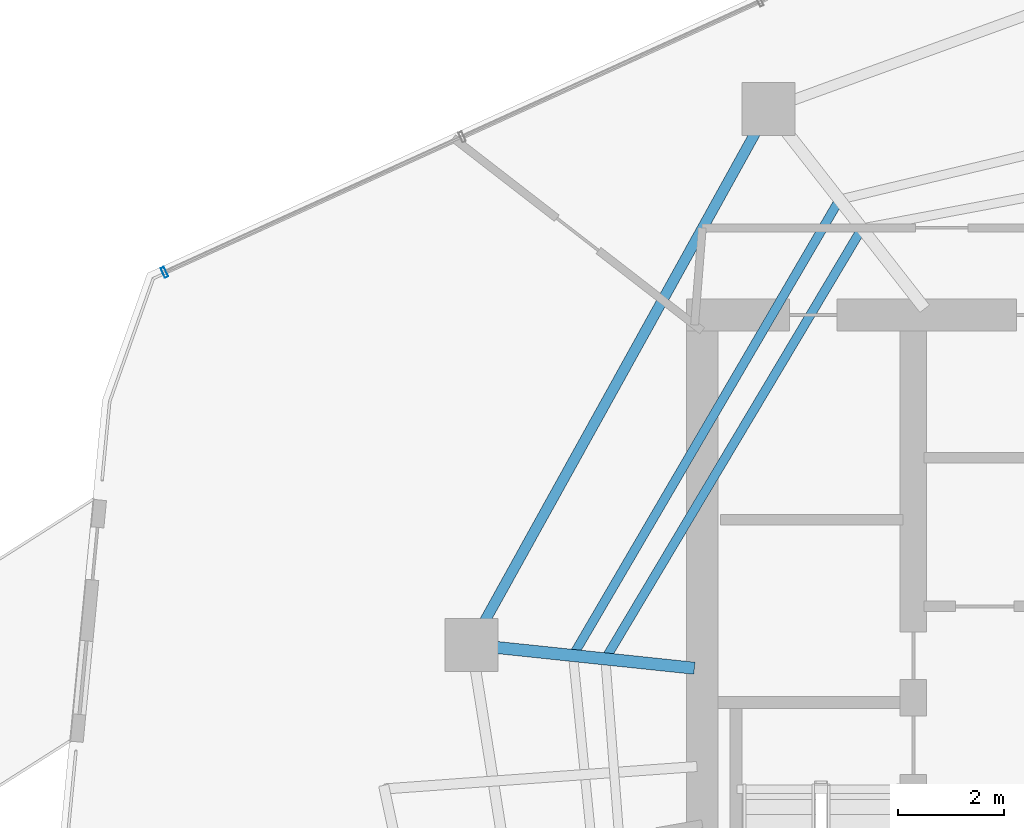
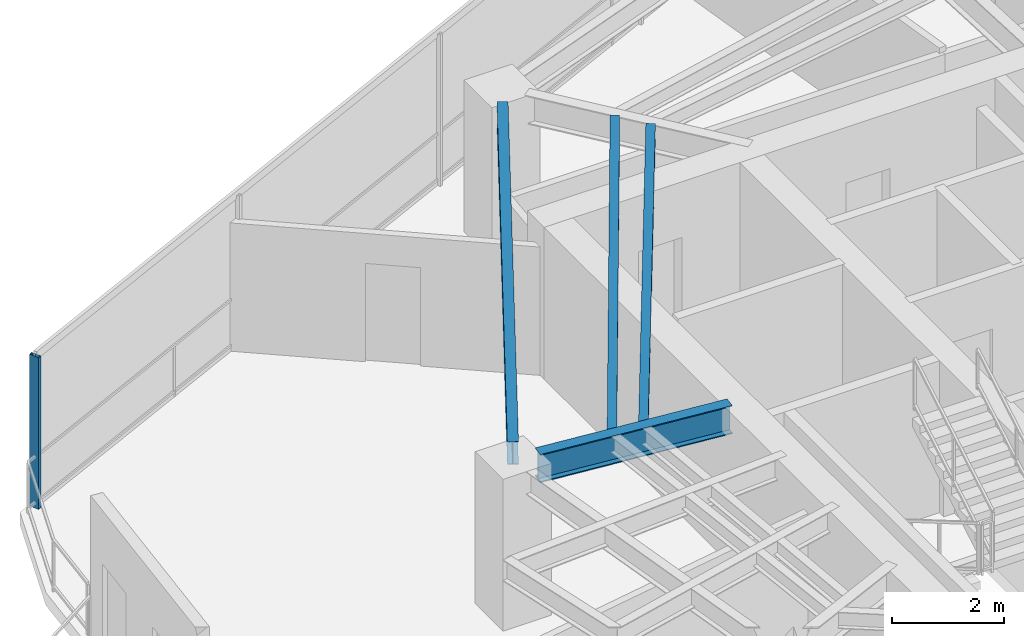
# One storey, part 7 of 21: 4 beams, 1 member, 1 element without a shape of its own.
"""IFC4 building model written with IfcOpenShell, lengths in metres."""

import ifcopenshell
import ifcopenshell.guid

model = None  # the IFC model being written
_history = None  # IfcOwnerHistory: only IFC2X3 demands one
_inside = {}  # id of a spatial element -> (the spatial element, [elements in it])
_under = {}  # id of a project, library or spatial element -> (it, [spatial elements below it])
_declared = {}  # id of a project -> (the project, [libraries it declares])
_typed = {}  # id of a type object -> (the type object, [elements of that type])
_made_of = {}  # id of a material, layer set ... -> (it, [elements and type objects made of it])


def new_model(schema):
    """Start an empty IFC model of exactly this schema.

    Asked for "IFC4X3", IfcOpenShell would pick the latest addendum, in which some entities
    have other attributes; the version numbers below select the first issue.
    IFC2X3 requires an IfcOwnerHistory on every rooted entity: one is made here for all.
    """
    global model, _history
    if schema == "IFC4X3":
        model = ifcopenshell.file(schema_version=(4, 3, 0, 0))
    else:
        model = ifcopenshell.file(schema=schema)
    _inside.clear()
    _under.clear()
    _declared.clear()
    _typed.clear()
    _made_of.clear()
    _history = None
    if model.schema == "IFC2X3":
        org = make("IfcOrganization", Name="unknown")
        user = make(
            "IfcPersonAndOrganization",
            ThePerson=make("IfcPerson", FamilyName="unknown"),
            TheOrganization=org,
        )
        app = make(
            "IfcApplication",
            ApplicationDeveloper=org,
            Version="unknown",
            ApplicationFullName="unknown",
            ApplicationIdentifier="unknown",
        )
        _history = make(
            "IfcOwnerHistory",
            OwningUser=user,
            OwningApplication=app,
            ChangeAction="ADDED",
            CreationDate=0,
        )
    return model


def make(cls, **values):
    """One entity of the class cls with the attributes given. An attribute that is None is left unset."""
    return model.create_entity(
        cls, **{name: value for name, value in values.items() if value is not None}
    )


def rooted(cls, **values):
    """An entity with a GlobalId (a new one), such as an element, a storey or a relation."""
    return make(cls, GlobalId=ifcopenshell.guid.new(), OwnerHistory=_history, **values)


def si_unit(unit_type, name, prefix=None):
    """IfcSIUnit, for example si_unit("LENGTHUNIT", "METRE", prefix="MILLI")."""
    return make("IfcSIUnit", UnitType=unit_type, Prefix=prefix, Name=name)


def assignment(units):
    """IfcUnitAssignment: the units of a project."""
    return None if units is None else make("IfcUnitAssignment", Units=units)


def point(xyz):
    """IfcCartesianPoint."""
    return None if xyz is None else make("IfcCartesianPoint", Coordinates=xyz)


def direction(xyz):
    """IfcDirection."""
    return None if xyz is None else make("IfcDirection", DirectionRatios=xyz)


def frame(location, z_axis=None, x_axis=None):
    """IfcAxis2Placement3D, a coordinate frame: its origin and axes. An axis left out is left unset."""
    return make(
        "IfcAxis2Placement3D",
        Location=point(location),
        Axis=direction(z_axis),
        RefDirection=direction(x_axis),
    )


def frame_2d(location, x_axis=None):
    """IfcAxis2Placement2D, a coordinate frame in the plane: its origin and x axis."""
    return make(
        "IfcAxis2Placement2D", Location=point(location), RefDirection=direction(x_axis)
    )


def origin():
    """The frame at (0, 0, 0) with its axes left unset."""
    return frame((0.0, 0.0, 0.0))


def origin_2d():
    """The frame at (0, 0) in the plane with its x axis left unset."""
    return frame_2d((0.0, 0.0))


def place(relative_to, where):
    """IfcLocalPlacement: puts the frame where relative to a parent placement (None: the world)."""
    return make(
        "IfcLocalPlacement", PlacementRelTo=relative_to, RelativePlacement=where
    )


def context(
    kind, dimensions, precision=None, world=None, true_north=None, identifier=None
):
    """IfcGeometricRepresentationContext, for example the 3D "Model" context."""
    return make(
        "IfcGeometricRepresentationContext",
        ContextIdentifier=identifier,
        ContextType=kind,
        CoordinateSpaceDimension=dimensions,
        Precision=precision,
        WorldCoordinateSystem=world,
        TrueNorth=true_north,
    )


def subcontext(parent, identifier, kind, view, scale=None):
    """IfcGeometricRepresentationSubContext, for example "Body" below "Model"."""
    return make(
        "IfcGeometricRepresentationSubContext",
        ContextIdentifier=identifier,
        ContextType=kind,
        ParentContext=parent,
        TargetScale=scale,
        TargetView=view,
    )


def project(units=None, contexts=None):
    """IfcProject with its units and contexts."""
    return rooted(
        "IfcProject",
        Name="project",
        RepresentationContexts=contexts,
        UnitsInContext=assignment(units),
    )


def spatial(cls, under=None, at=None, **own):
    """A site, building, storey or space (cls), placed at a placement, below another one or the project."""
    s = rooted(cls, ObjectPlacement=at, **own)
    if under is not None:
        _under.setdefault(under.id(), (under, []))[1].append(s)
    return s


def profile(cls, at=None, kind="AREA", **sizes):
    """A parametric profile (cls). Its sizes go by their IFC names, for example OverallWidth=200.0."""
    return make(cls, ProfileType=kind, Position=at, **sizes)


def hollow_rectangle(**sizes):
    """IfcRectangleHollowProfileDef."""
    return profile("IfcRectangleHollowProfileDef", **sizes)


def i_section(**sizes):
    """IfcIShapeProfileDef."""
    return profile("IfcIShapeProfileDef", **sizes)


def extrude(swept, where, along, depth):
    """IfcExtrudedAreaSolid: the profile swept, set in the frame where, extruded along a direction by depth."""
    return make(
        "IfcExtrudedAreaSolid",
        SweptArea=swept,
        Position=where,
        ExtrudedDirection=direction(along),
        Depth=depth,
    )


def shape(context_of_items, identifier, shape_type, items):
    """IfcShapeRepresentation: the items that make up one representation, for example the "Body"."""
    return make(
        "IfcShapeRepresentation",
        ContextOfItems=context_of_items,
        RepresentationIdentifier=identifier,
        RepresentationType=shape_type,
        Items=items,
    )


def material(Name=None, Category=None):
    """IfcMaterial."""
    return make("IfcMaterial", Name=Name, Category=Category)


def layer(
    of_material, thickness, ventilated=None, Name=None, Category=None, Priority=None
):
    """IfcMaterialLayer: one layer of a wall or slab, of a material (None: an air gap)."""
    return make(
        "IfcMaterialLayer",
        Material=of_material,
        LayerThickness=thickness,
        IsVentilated=ventilated,
        Name=Name,
        Category=Category,
        Priority=Priority,
    )


def layer_set(layers, Name=None):
    """IfcMaterialLayerSet."""
    return make("IfcMaterialLayerSet", MaterialLayers=layers, LayerSetName=Name)


def material_profile(
    of_material, cross_section, Name=None, Category=None, Priority=None
):
    """IfcMaterialProfile: a cross section and its material."""
    return make(
        "IfcMaterialProfile",
        Name=Name,
        Material=of_material,
        Profile=cross_section,
        Priority=Priority,
        Category=Category,
    )


def profile_set(profiles, Name=None, composite=None):
    """IfcMaterialProfileSet."""
    return make(
        "IfcMaterialProfileSet",
        Name=Name,
        MaterialProfiles=profiles,
        CompositeProfile=composite,
    )


def made_of(thing, what):
    """Note that an element or type object is made of a material, layer set ...; save() writes the relation."""
    if what is not None:
        _made_of.setdefault(what.id(), (what, []))[1].append(thing)
    return thing


def type_object(cls, material=None, **own):
    """A type object (cls), such as IfcWallType, which elements share."""
    return made_of(rooted(cls, **own), material)


def element(
    cls,
    number,
    at=None,
    inside=None,
    cuts=None,
    type_object=None,
    material=None,
    context=None,
    identifier="Body",
    shape_type=None,
    held_by="IfcProductDefinitionShape",
    body=None,
    shapes=None,
    **own,
):
    """One element of the class cls, such as IfcWall. Its Tag is "e" and its number.

    at: its placement. inside: the storey or other place that contains it. cuts: it is an
    opening in that element (IfcRelVoidsElement). A single representation is given by context,
    identifier, shape_type and body (its items); several are given by shapes. held_by: the class
    of the entity that holds the representations. save() writes the other relations.
    """
    e = rooted(cls, Tag="e%d" % number, ObjectPlacement=at, **own)
    if body is not None:
        shapes = [shape(context, identifier, shape_type, body)]
    if shapes is not None:
        e.Representation = make(held_by, Representations=shapes)
    if inside is not None:
        _inside.setdefault(inside.id(), (inside, []))[1].append(e)
    if cuts is not None:
        rooted(
            "IfcRelVoidsElement", RelatingBuildingElement=cuts, RelatedOpeningElement=e
        )
    if type_object is not None:
        _typed.setdefault(type_object.id(), (type_object, []))[1].append(e)
    return made_of(e, material)


def aggregate(whole, parts):
    """IfcRelAggregates: a whole, such as a stair, and the parts it consists of."""
    return rooted("IfcRelAggregates", RelatingObject=whole, RelatedObjects=parts)


def save(model, path):
    """Write the relations noted so far, then the file.

    IfcRelAggregates (storeys below a building ...), IfcRelContainedInSpatialStructure (elements
    in a storey), IfcRelDefinesByType, IfcRelAssociatesMaterial and IfcRelDeclares: one each for
    every whole, place, type object, material and project.
    """
    for whole, parts in _under.values():
        aggregate(whole, parts)
    for where, things in _inside.values():
        rooted(
            "IfcRelContainedInSpatialStructure",
            RelatedElements=things,
            RelatingStructure=where,
        )
    for kind, things in _typed.values():
        rooted("IfcRelDefinesByType", RelatedObjects=things, RelatingType=kind)
    for what, things in _made_of.values():
        rooted("IfcRelAssociatesMaterial", RelatedObjects=things, RelatingMaterial=what)
    for by, libraries in _declared.values():
        rooted("IfcRelDeclares", RelatingContext=by, RelatedDefinitions=libraries)
    model.write(path)


model = new_model("IFC4")

# Units and contexts
model_context = context("Model", 3, precision=1e-05, world=origin(), true_north=direction((0.0, 1.0)))
body_context = subcontext(model_context, "Body", "Model", "MODEL_VIEW")
ifc_project = project(units=[si_unit("LENGTHUNIT", "METRE"), si_unit("AREAUNIT", "SQUARE_METRE"), si_unit("VOLUMEUNIT", "CUBIC_METRE"), si_unit("PLANEANGLEUNIT", "RADIAN"), si_unit("MASSUNIT", "GRAM", prefix="KILO")], contexts=[model_context])

# Site, building, storey
site_placement = place(None, origin())
site = spatial("IfcSite", under=ifc_project, at=site_placement, CompositionType="ELEMENT")
building_placement = place(site_placement, origin())
building = spatial("IfcBuilding", under=site, at=building_placement, Name="Qarnah Convention Tower", CompositionType="ELEMENT")
storey_placement = place(building_placement, frame((0.0, 0.0, 158.10009765625)))
storey = spatial("IfcBuildingStorey", under=building, at=storey_placement, Name="L42", CompositionType="ELEMENT", Elevation=158.10009765625)

# Beams
ifc_material_1 = material(Name="Structural steel S355JR", Category="steel")
ifc_material_profile_1 = material_profile(ifc_material_1, i_section(OverallWidth=0.172119140625, OverallDepth=0.35595703125, WebThickness=0.007080078125, FlangeThickness=0.011962890625, at=origin_2d()), Name="W360X51")
ifc_profile_set_1 = profile_set([ifc_material_profile_1], Name="Structural steel S355JR")
beam_type_1 = type_object("IfcBeamType", Name="BM-JST-W360", PredefinedType="JOIST", material=ifc_profile_set_1)
beam_1_placement = place(storey_placement, frame((29.35400390625, 36.306884765625, 3.141845703125), z_axis=(-0.50462817984, -0.863336782554, 0.0), x_axis=(0.863336782554, -0.50462817984, 0.0)))
element("IfcBeam", 1, at=beam_1_placement, inside=storey, type_object=beam_type_1, Name="L42 joist BM-L42-SJST-04", PredefinedType="JOIST", context=body_context, shape_type="SweptSolid", body=[
    extrude(i_section(OverallWidth=0.172119140625, OverallDepth=0.35595703125, WebThickness=0.007080078125, FlangeThickness=0.011962890625, at=origin_2d()), origin(), (0.0, 0.0, 1.0), 9.8212890625),
])
beam_2_placement = place(storey_placement, frame((29.779052734375, 35.761962890625, 3.141845703125), z_axis=(-0.51201841679, -0.85897447044, 0.0), x_axis=(0.85897447044, -0.51201841679, 0.0)))
element("IfcBeam", 2, at=beam_2_placement, inside=storey, type_object=beam_type_1, Name="L42 joist BM-L42-IJST-04", PredefinedType="JOIST", context=body_context, shape_type="SweptSolid", body=[
    extrude(i_section(OverallWidth=0.172119140625, OverallDepth=0.35595703125, WebThickness=0.007080078125, FlangeThickness=0.011962890625, at=origin_2d()), origin(), (0.0, 0.0, 1.0), 9.312255859375),
])
ifc_material_profile_2 = material_profile(ifc_material_1, i_section(OverallWidth=0.22998046875, OverallDepth=0.617919921875, WebThickness=0.012939453125, FlangeThickness=0.02197265625, at=origin_2d()), Name="W610X140")
ifc_profile_set_2 = profile_set([ifc_material_profile_2], Name="Structural steel S355JR")
beam_type_2 = type_object("IfcBeamType", Name="BM-RAD-W610A", PredefinedType="BEAM", material=ifc_profile_set_2)
beam_3_placement = place(storey_placement, frame((26.65087890625, 27.509033203125, 3.010986328125), z_axis=(-0.994531015982, 0.104441649973, 0.0), x_axis=(-0.104441649973, -0.994531015982, 0.0)))
element("IfcBeam", 3, at=beam_3_placement, inside=storey, type_object=beam_type_2, Name="L42 beam BM-L42-RAD-05", PredefinedType="BEAM", context=body_context, shape_type="SweptSolid", body=[
    extrude(i_section(OverallWidth=0.22998046875, OverallDepth=0.617919921875, WebThickness=0.012939453125, FlangeThickness=0.02197265625, at=origin_2d()), origin(), (0.0, 0.0, 1.0), 3.763427734375),
])
ifc_material_profile_3 = material_profile(ifc_material_1, i_section(OverallWidth=0.199951171875, OverallDepth=0.5, WebThickness=0.010009765625, FlangeThickness=0.01611328125, at=origin_2d()), Name="IPE500")
ifc_profile_set_3 = profile_set([ifc_material_profile_3], Name="Structural steel S355JR")
beam_type_3 = type_object("IfcBeamType", Name="BM-SPN-IPE500", PredefinedType="SPANDREL", material=ifc_profile_set_3)
beam_4_placement = place(storey_placement, frame((27.819091796875, 37.673095703125, 3.06982421875), z_axis=(-0.48477441757, -0.874639219375, 0.0), x_axis=(0.874639219375, -0.48477441757, 0.0)))
element("IfcBeam", 4, at=beam_4_placement, inside=storey, type_object=beam_type_3, Name="L42 spandrel BM-L42-SPN-04", PredefinedType="SPANDREL", context=body_context, shape_type="SweptSolid", body=[
    extrude(i_section(OverallWidth=0.199951171875, OverallDepth=0.5, WebThickness=0.010009765625, FlangeThickness=0.01611328125, at=origin_2d()), origin(), (0.0, 0.0, 1.0), 10.623779296875),
])

# Curtain wall, member
ifc_material_2 = material(Name="Tempered Low-E dark glass", Category="glass")
ifc_layer = layer(ifc_material_2, 0.172119140625)
ifc_layer_set = layer_set([ifc_layer], Name="Tempered Low-E dark glass")
curtain_wall_type = type_object("IfcCurtainWallType", Name="CWS-03", PredefinedType="NOTDEFINED", material=ifc_layer_set)
curtain_wall_placement = place(storey_placement, origin())
curtain_wall = element("IfcCurtainWall", 5, at=curtain_wall_placement, inside=storey, type_object=curtain_wall_type, Name="L42 unitised curtain wall CW-L42-F1", PredefinedType="NOTDEFINED")
ifc_material_3 = material(Name="Black anodised aluminium", Category="aluminium")
ifc_material_profile_4 = material_profile(ifc_material_3, hollow_rectangle(XDim=0.070068359375, YDim=0.199951171875, WallThickness=0.0048828125, at=origin_2d()), Name="MUL-70X200")
ifc_profile_set_4 = profile_set([ifc_material_profile_4], Name="Black anodised aluminium")
member_type = type_object("IfcMemberType", Name="MUL-T3", PredefinedType="MULLION", material=ifc_profile_set_4)
member_placement = place(storey_placement, frame((16.614013671875, 35.008056640625, 0.0), z_axis=(0.0, 0.0, 1.0), x_axis=(0.910112016723, 0.414362301636, 0.0)))
member = element("IfcMember", 6, at=member_placement, type_object=member_type, Name="CW-L42-F1 mullion 1", PredefinedType="MULLION", context=body_context, shape_type="SweptSolid", body=[
    extrude(hollow_rectangle(XDim=0.070068359375, YDim=0.199951171875, WallThickness=0.0048828125, at=origin_2d()), origin(), (0.0, 0.0, 1.0), 3.31982421875),
])
aggregate(curtain_wall, [member])

save(model, "model.ifc")
